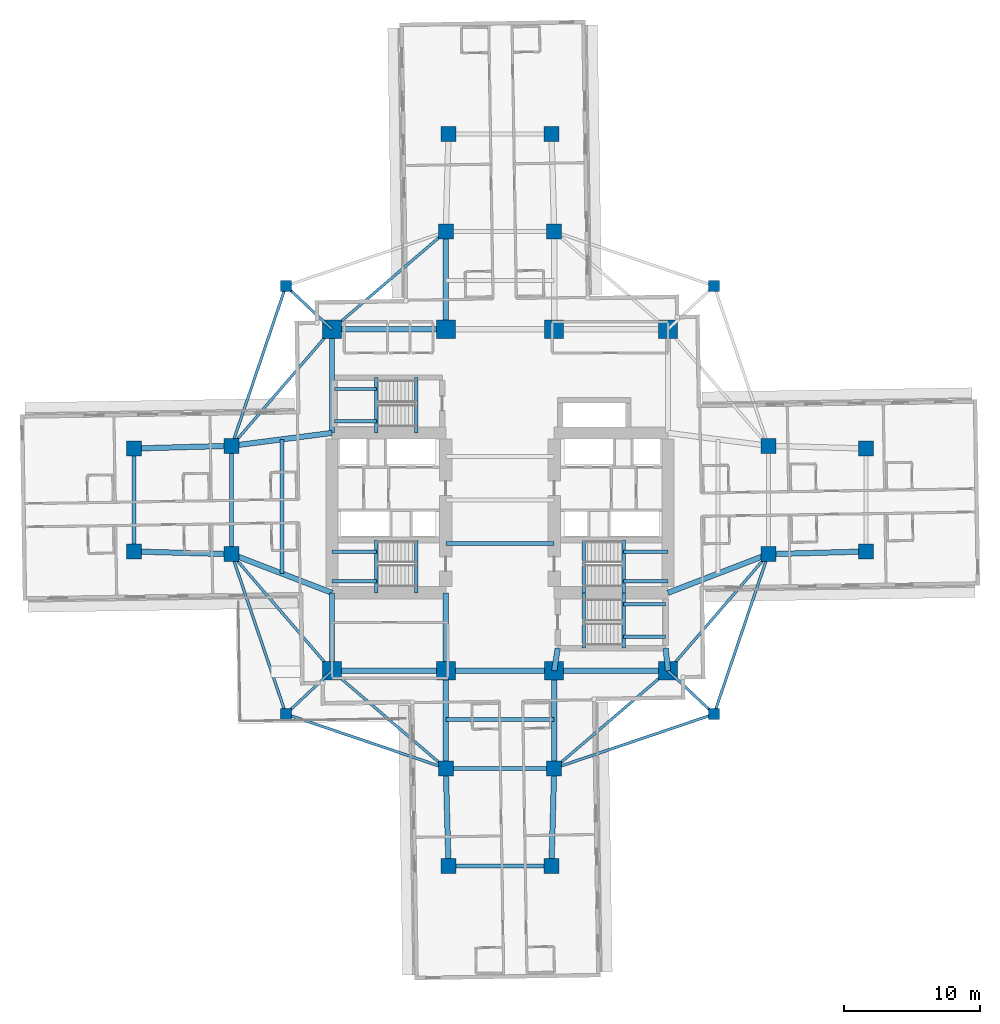
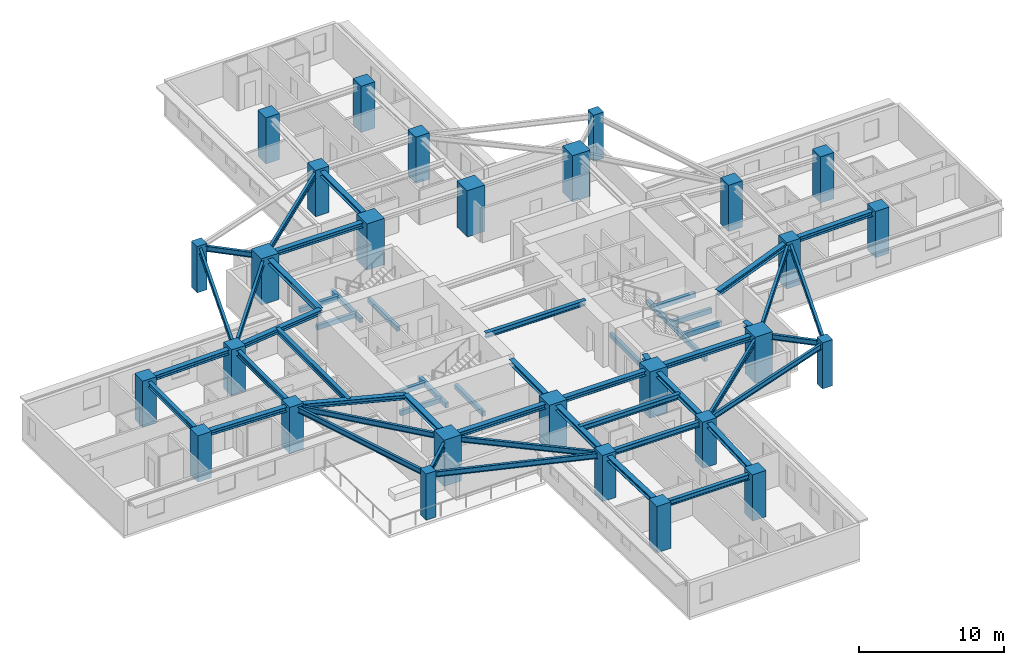
# One storey, part 1 of 14: 57 beams, 28 columns.
"""IFC4 building model written with IfcOpenShell, lengths in metres."""

from ifc_helpers import new_model, si_unit, direction, frame, origin, origin_2d, place, context, subcontext, project, spatial, rectangle, i_section, extrude, material, material_profile, profile_set, type_object, element, save


model = new_model("IFC4")

# Units and contexts
model_context = context("Model", 3, precision=1e-05, world=origin(), true_north=direction((0.0, 1.0)))
body_context = subcontext(model_context, "Body", "Model", "MODEL_VIEW")
ifc_project = project(units=[si_unit("LENGTHUNIT", "METRE"), si_unit("AREAUNIT", "SQUARE_METRE"), si_unit("VOLUMEUNIT", "CUBIC_METRE"), si_unit("PLANEANGLEUNIT", "RADIAN"), si_unit("MASSUNIT", "GRAM", prefix="KILO")], contexts=[model_context])

# Site, building, storey
site_placement = place(None, origin())
site = spatial("IfcSite", under=ifc_project, at=site_placement, CompositionType="ELEMENT")
building_placement = place(site_placement, origin())
building = spatial("IfcBuilding", under=site, at=building_placement, Name="Qingluan Cross Belvedere", CompositionType="ELEMENT")
storey_placement = place(building_placement, frame((0.0, 0.0, 60.0)))
storey = spatial("IfcBuildingStorey", under=building, at=storey_placement, Name="L15", CompositionType="ELEMENT", Elevation=60.0)

# Columns
ifc_material_1 = material(Name="Concrete C60", Category="concrete")
ifc_material_profile_1 = material_profile(ifc_material_1, rectangle(XDim=1.10009765625, YDim=1.10009765625, at=origin_2d()), Name="RC1100x1100")
ifc_profile_set_1 = profile_set([ifc_material_profile_1], Name="Concrete C60")
column_type_1 = type_object("IfcColumnType", Name="Column_RC1100x1100", PredefinedType="COLUMN", material=ifc_profile_set_1)
for number, where, z_axis, x_axis, name in (
    (1, (19.800048828125, -4.0, 0.0), (0.0, 0.0, 1.0), (1.0, 0.0, 0.0), "Arm column L15-EIA"),
    (2, (19.800048828125, 4.0, 0.0), (0.0, 0.0, 1.0), (1.0, 0.0, 0.0), "Arm column L15-EIB"),
    (3, (-19.800048828125, -4.0, 0.0), (0.0, 0.0, 1.0), (1.0, 0.0, 0.0), "Arm column L15-WIA"),
    (4, (-19.800048828125, 4.0, 0.0), (0.0, 0.0, 1.0), (1.0, 0.0, 0.0), "Arm column L15-WIB"),
    (5, (-4.0, -19.800048828125, 0.0), (0.0, 0.0, 1.0), (1.0, 0.0, 0.0), "Arm column L15-SIA"),
    (6, (4.0, -19.800048828125, 0.0), (0.0, 0.0, 1.0), (1.0, 0.0, 0.0), "Arm column L15-SIB"),
    (7, (-4.0, 19.800048828125, 0.0), (0.0, 0.0, 1.0), (1.0, 0.0, 0.0), "Arm column L15-NIA"),
    (8, (4.0, 19.800048828125, 0.0), (0.0, 0.0, 1.0), (1.0, 0.0, 0.0), "Arm column L15-NIB"),
    (9, (27.0, -3.800048828125, 0.0), (0.0, 0.0, 1.0), (1.0, 0.0, 0.0), "Arm column L15-EOA"),
    (10, (27.0, 3.800048828125, 0.0), (0.0, 0.0, 1.0), (1.0, 0.0, 0.0), "Arm column L15-EOB"),
    (11, (-27.0, -3.800048828125, 0.0), (0.0, 0.0, 1.0), (1.0, 0.0, 0.0), "Arm column L15-WOA"),
    (12, (-27.0, 3.800048828125, 0.0), (0.0, 0.0, 1.0), (1.0, 0.0, 0.0), "Arm column L15-WOB"),
    (13, (-3.800048828125, -27.0, 0.0), (0.0, 0.0, 1.0), (1.0, 0.0, 0.0), "Arm column L15-SOA"),
    (14, (3.800048828125, -27.0, 0.0), (0.0, 0.0, 1.0), (1.0, 0.0, 0.0), "Arm column L15-SOB"),
    (15, (-3.800048828125, 27.0, 0.0), (0.0, 0.0, 1.0), (1.0, 0.0, 0.0), "Arm column L15-NOA"),
    (16, (3.800048828125, 27.0, 0.0), (0.0, 0.0, 1.0), (1.0, 0.0, 0.0), "Arm column L15-NOB"),
):
    element("IfcColumn", number, at=place(storey_placement, frame(where, z_axis=z_axis, x_axis=x_axis)), inside=storey, type_object=column_type_1, Name=name, PredefinedType="COLUMN", context=body_context, shape_type="SweptSolid", body=[
        extrude(rectangle(XDim=1.10009765625, YDim=1.10009765625, at=origin_2d()), origin(), (0.0, 0.0, 1.0), 3.89990234375),
    ])
ifc_material_2 = material(Name="Concrete C70", Category="concrete")
ifc_material_profile_2 = material_profile(ifc_material_2, rectangle(XDim=1.39990234375, YDim=1.39990234375, at=origin_2d()), Name="RC1400x1400")
ifc_profile_set_2 = profile_set([ifc_material_profile_2], Name="Concrete C70")
column_type_2 = type_object("IfcColumnType", Name="Column_RC1400x1400", PredefinedType="COLUMN", material=ifc_profile_set_2)
for number, where, z_axis, x_axis, name in (
    (17, (-12.39990234375, -12.60009765625, 0.0), (0.0, 0.0, 1.0), (1.0, 0.0, 0.0), "Hub column L15-HC1"),
    (18, (12.39990234375, -12.60009765625, 0.0), (0.0, 0.0, 1.0), (1.0, 0.0, 0.0), "Hub column L15-HC2"),
    (19, (12.39990234375, 12.60009765625, 0.0), (0.0, 0.0, 1.0), (1.0, 0.0, 0.0), "Hub column L15-HC3"),
    (20, (-12.39990234375, 12.60009765625, 0.0), (0.0, 0.0, 1.0), (1.0, 0.0, 0.0), "Hub column L15-HC4"),
    (21, (-4.0, -12.60009765625, 0.0), (0.0, 0.0, 1.0), (1.0, 0.0, 0.0), "Hub column L15-HC5"),
    (22, (4.0, -12.60009765625, 0.0), (0.0, 0.0, 1.0), (1.0, 0.0, 0.0), "Hub column L15-HC6"),
    (23, (4.0, 12.60009765625, 0.0), (0.0, 0.0, 1.0), (1.0, 0.0, 0.0), "Hub column L15-HC7"),
    (24, (-4.0, 12.60009765625, 0.0), (0.0, 0.0, 1.0), (1.0, 0.0, 0.0), "Hub column L15-HC8"),
):
    element("IfcColumn", number, at=place(storey_placement, frame(where, z_axis=z_axis, x_axis=x_axis)), inside=storey, type_object=column_type_2, Name=name, PredefinedType="COLUMN", context=body_context, shape_type="SweptSolid", body=[
        extrude(rectangle(XDim=1.39990234375, YDim=1.39990234375, at=origin_2d()), origin(), (0.0, 0.0, 1.0), 3.89990234375),
    ])
ifc_material_3 = material(Name="Concrete C50", Category="concrete")
ifc_material_profile_3 = material_profile(ifc_material_3, rectangle(XDim=0.800048828125, YDim=0.800048828125, at=origin_2d()), Name="RC800x800")
ifc_profile_set_3 = profile_set([ifc_material_profile_3], Name="Concrete C50")
column_type_3 = type_object("IfcColumnType", Name="Column_RC800x800", PredefinedType="COLUMN", material=ifc_profile_set_3)
for number, where, z_axis, x_axis, name in (
    (25, (15.800048828125, 15.800048828125, 0.0), (0.0, 0.0, 1.0), (1.0, 0.0, 0.0), "Corner column L15-RNE"),
    (26, (-15.800048828125, 15.800048828125, 0.0), (0.0, 0.0, 1.0), (1.0, 0.0, 0.0), "Corner column L15-RNW"),
    (27, (-15.800048828125, -15.800048828125, 0.0), (0.0, 0.0, 1.0), (1.0, 0.0, 0.0), "Corner column L15-RSW"),
    (28, (15.800048828125, -15.800048828125, 0.0), (0.0, 0.0, 1.0), (1.0, 0.0, 0.0), "Corner column L15-RSE"),
):
    element("IfcColumn", number, at=place(storey_placement, frame(where, z_axis=z_axis, x_axis=x_axis)), inside=storey, type_object=column_type_3, Name=name, PredefinedType="COLUMN", context=body_context, shape_type="SweptSolid", body=[
        extrude(rectangle(XDim=0.800048828125, YDim=0.800048828125, at=origin_2d()), origin(), (0.0, 0.0, 1.0), 3.89990234375),
    ])

# Beams
ifc_material_4 = material(Name="Concrete C45", Category="concrete")
ifc_material_profile_4 = material_profile(ifc_material_4, rectangle(XDim=0.25, YDim=0.39990234375, at=origin_2d()), Name="RC250x400")
ifc_profile_set_4 = profile_set([ifc_material_profile_4], Name="Concrete C45")
beam_type_1 = type_object("IfcBeamType", Name="RC_Lintel_RC250x400", PredefinedType="LINTEL", material=ifc_profile_set_4)
for number, where, z_axis, x_axis, name in (
    (29, (-6.179931640625, -6.85009765625, -0.199951171875), (0.0, 1.0, 0.0), (-1.0, 0.0, 0.0), "Stair ST1 landing beam L15"),
    (30, (6.179931640625, -6.85009765625, -0.199951171875), (0.0, 1.0, 0.0), (-1.0, 0.0, 0.0), "Stair ST2 landing beam L15"),
):
    element("IfcBeam", number, at=place(storey_placement, frame(where, z_axis=z_axis, x_axis=x_axis)), inside=storey, type_object=beam_type_1, Name=name, PredefinedType="LINTEL", context=body_context, shape_type="SweptSolid", body=[
        extrude(rectangle(XDim=0.25, YDim=0.39990234375, at=origin_2d()), origin(), (0.0, 0.0, 1.0), 3.89013671875),
    ])
beam_1_placement = place(storey_placement, frame((-6.179931640625, 4.949951171875, -0.199951171875), z_axis=(0.0, 1.0, 0.0), x_axis=(-1.0, 0.0, 0.0)))
element("IfcBeam", 31, at=beam_1_placement, inside=storey, type_object=beam_type_1, Name="Stair ST3 landing beam L15", PredefinedType="LINTEL", context=body_context, shape_type="SweptSolid", body=[
    extrude(rectangle(XDim=0.25, YDim=0.39990234375, at=origin_2d()), origin(), (0.0, 0.0, 1.0), 4.090087890625),
])
beam_2_placement = place(storey_placement, frame((6.179931640625, -10.93994140625, -0.199951171875), z_axis=(0.0, 1.0, 0.0), x_axis=(-1.0, 0.0, 0.0)))
element("IfcBeam", 32, at=beam_2_placement, inside=storey, type_object=beam_type_1, Name="Stair ST4 landing beam L15", PredefinedType="LINTEL", context=body_context, shape_type="SweptSolid", body=[
    extrude(rectangle(XDim=0.25, YDim=0.39990234375, at=origin_2d()), origin(), (0.0, 0.0, 1.0), 4.08984375),
])
beam_3_placement = place(storey_placement, frame((-9.1298828125, -6.85009765625, 1.550048828125), z_axis=(0.0, 1.0, 0.0), x_axis=(-1.0, 0.0, 0.0)))
element("IfcBeam", 33, at=beam_3_placement, inside=storey, type_object=beam_type_1, Name="Stair ST1 beam A L15", PredefinedType="LINTEL", context=body_context, shape_type="SweptSolid", body=[
    extrude(rectangle(XDim=0.25, YDim=0.39990234375, at=origin_2d()), origin(), (0.0, 0.0, 1.0), 3.89013671875),
])
for number, where, z_axis, x_axis, name in (
    (34, (-12.39990234375, -6.0, 1.550048828125), (1.0, 0.0, 0.0), (0.0, 1.0, 0.0), "Stair ST1 beam B L15"),
    (35, (-12.39990234375, -3.81005859375, 1.550048828125), (1.0, 0.0, 0.0), (0.0, 1.0, 0.0), "Stair ST1 beam C L15"),
):
    element("IfcBeam", number, at=place(storey_placement, frame(where, z_axis=z_axis, x_axis=x_axis)), inside=storey, type_object=beam_type_1, Name=name, PredefinedType="LINTEL", context=body_context, shape_type="SweptSolid", body=[
        extrude(rectangle(XDim=0.25, YDim=0.39990234375, at=origin_2d()), origin(), (0.0, 0.0, 1.0), 3.27001953125),
    ])
beam_4_placement = place(storey_placement, frame((9.1298828125, -6.85009765625, 1.550048828125), z_axis=(0.0, 1.0, 0.0), x_axis=(-1.0, 0.0, 0.0)))
element("IfcBeam", 36, at=beam_4_placement, inside=storey, type_object=beam_type_1, Name="Stair ST2 beam A L15", PredefinedType="LINTEL", context=body_context, shape_type="SweptSolid", body=[
    extrude(rectangle(XDim=0.25, YDim=0.39990234375, at=origin_2d()), origin(), (0.0, 0.0, 1.0), 3.89013671875),
])
for number, where, z_axis, x_axis, name in (
    (37, (12.39990234375, -6.0, 1.550048828125), (-1.0, 0.0, 0.0), (0.0, -1.0, 0.0), "Stair ST2 beam B L15"),
    (38, (12.39990234375, -3.81005859375, 1.550048828125), (-1.0, 0.0, 0.0), (0.0, -1.0, 0.0), "Stair ST2 beam C L15"),
):
    element("IfcBeam", number, at=place(storey_placement, frame(where, z_axis=z_axis, x_axis=x_axis)), inside=storey, type_object=beam_type_1, Name=name, PredefinedType="LINTEL", context=body_context, shape_type="SweptSolid", body=[
        extrude(rectangle(XDim=0.25, YDim=0.39990234375, at=origin_2d()), origin(), (0.0, 0.0, 1.0), 3.27001953125),
    ])
beam_5_placement = place(storey_placement, frame((-9.1298828125, 4.949951171875, 1.550048828125), z_axis=(0.0, 1.0, 0.0), x_axis=(-1.0, 0.0, 0.0)))
element("IfcBeam", 39, at=beam_5_placement, inside=storey, type_object=beam_type_1, Name="Stair ST3 beam A L15", PredefinedType="LINTEL", context=body_context, shape_type="SweptSolid", body=[
    extrude(rectangle(XDim=0.25, YDim=0.39990234375, at=origin_2d()), origin(), (0.0, 0.0, 1.0), 4.090087890625),
])
for number, where, z_axis, x_axis, name in (
    (40, (-12.219970703125, 5.800048828125, 1.550048828125), (1.0, 0.0, 0.0), (0.0, 1.0, 0.0), "Stair ST3 beam B L15"),
    (41, (-12.219970703125, 8.18994140625, 1.550048828125), (1.0, 0.0, 0.0), (0.0, 1.0, 0.0), "Stair ST3 beam C L15"),
):
    element("IfcBeam", number, at=place(storey_placement, frame(where, z_axis=z_axis, x_axis=x_axis)), inside=storey, type_object=beam_type_1, Name=name, PredefinedType="LINTEL", context=body_context, shape_type="SweptSolid", body=[
        extrude(rectangle(XDim=0.25, YDim=0.39990234375, at=origin_2d()), origin(), (0.0, 0.0, 1.0), 3.090087890625),
    ])
beam_6_placement = place(storey_placement, frame((9.1298828125, -10.93994140625, 1.550048828125), z_axis=(0.0, 1.0, 0.0), x_axis=(-1.0, 0.0, 0.0)))
element("IfcBeam", 42, at=beam_6_placement, inside=storey, type_object=beam_type_1, Name="Stair ST4 beam A L15", PredefinedType="LINTEL", context=body_context, shape_type="SweptSolid", body=[
    extrude(rectangle(XDim=0.25, YDim=0.39990234375, at=origin_2d()), origin(), (0.0, 0.0, 1.0), 4.08984375),
])
for number, where, z_axis, x_axis, name in (
    (43, (12.219970703125, -10.090087890625, 1.550048828125), (-1.0, 0.0, 0.0), (0.0, -1.0, 0.0), "Stair ST4 beam B L15"),
    (44, (12.219970703125, -7.699951171875, 1.550048828125), (-1.0, 0.0, 0.0), (0.0, -1.0, 0.0), "Stair ST4 beam C L15"),
):
    element("IfcBeam", number, at=place(storey_placement, frame(where, z_axis=z_axis, x_axis=x_axis)), inside=storey, type_object=beam_type_1, Name=name, PredefinedType="LINTEL", context=body_context, shape_type="SweptSolid", body=[
        extrude(rectangle(XDim=0.25, YDim=0.39990234375, at=origin_2d()), origin(), (0.0, 0.0, 1.0), 3.090087890625),
    ])
ifc_material_5 = material(Name="Steel Q420GJB", Category="steel")
ifc_material_profile_5 = material_profile(ifc_material_5, i_section(OverallWidth=0.300048828125, OverallDepth=0.43994140625, WebThickness=0.010986328125, FlangeThickness=0.01806640625, FilletRadius=0.02001953125, at=origin_2d()), Name="HM440x300x11x18")
ifc_profile_set_5 = profile_set([ifc_material_profile_5], Name="Steel Q420GJB")
beam_type_2 = type_object("IfcBeamType", Name="Steel_Beam_HM440x300x11x18", PredefinedType="BEAM", material=ifc_profile_set_5)
for number, where, z_axis, x_axis, name in (
    (45, (-4.0, -3.199951171875, 3.47998046875), (1.0, 0.0, 0.0), (0.0, 1.0, 0.0), "Hall beam L15-CH1"),
    (46, (-19.800048828125, -4.0, 3.47998046875), (0.0, 1.0, 0.0), (-1.0, 0.0, 0.0), "Arm W tie L15"),
):
    element("IfcBeam", number, at=place(storey_placement, frame(where, z_axis=z_axis, x_axis=x_axis)), inside=storey, type_object=beam_type_2, Name=name, PredefinedType="BEAM", context=body_context, shape_type="SweptSolid", body=[
        extrude(i_section(OverallWidth=0.300048828125, OverallDepth=0.43994140625, WebThickness=0.010986328125, FlangeThickness=0.01806640625, FilletRadius=0.02001953125, at=origin_2d()), origin(), (0.0, 0.0, 1.0), 8.0),
    ])
beam_7_placement = place(storey_placement, frame((-16.10009765625, -5.425048828125, 3.47998046875), z_axis=(0.0, 1.0, 0.0), x_axis=(-1.0, 0.0, 0.0)))
element("IfcBeam", 47, at=beam_7_placement, inside=storey, type_object=beam_type_2, Name="Arm W beam L15", PredefinedType="BEAM", context=body_context, shape_type="SweptSolid", body=[
    extrude(i_section(OverallWidth=0.300048828125, OverallDepth=0.43994140625, WebThickness=0.010986328125, FlangeThickness=0.01806640625, FilletRadius=0.02001953125, at=origin_2d()), origin(), (0.0, 0.0, 1.0), 9.900146484375),
])
beam_8_placement = place(storey_placement, frame((-27.0, -3.800048828125, 3.47998046875), z_axis=(0.0, 1.0, 0.0), x_axis=(-1.0, 0.0, 0.0)))
element("IfcBeam", 48, at=beam_8_placement, inside=storey, type_object=beam_type_2, Name="Arm W tip transverse beam L15", PredefinedType="BEAM", context=body_context, shape_type="SweptSolid", body=[
    extrude(i_section(OverallWidth=0.300048828125, OverallDepth=0.43994140625, WebThickness=0.010986328125, FlangeThickness=0.01806640625, FilletRadius=0.02001953125, at=origin_2d()), origin(), (0.0, 0.0, 1.0), 7.60009765625),
])
for number, where, z_axis, x_axis, name in (
    (49, (-4.0, -19.800048828125, 3.47998046875), (1.0, 0.0, 0.0), (0.0, 1.0, 0.0), "Arm S tie L15"),
    (50, (-4.0, -16.199951171875, 3.47998046875), (1.0, 0.0, 0.0), (0.0, 1.0, 0.0), "Arm S beam L15"),
):
    element("IfcBeam", number, at=place(storey_placement, frame(where, z_axis=z_axis, x_axis=x_axis)), inside=storey, type_object=beam_type_2, Name=name, PredefinedType="BEAM", context=body_context, shape_type="SweptSolid", body=[
        extrude(i_section(OverallWidth=0.300048828125, OverallDepth=0.43994140625, WebThickness=0.010986328125, FlangeThickness=0.01806640625, FilletRadius=0.02001953125, at=origin_2d()), origin(), (0.0, 0.0, 1.0), 8.0),
    ])
beam_9_placement = place(storey_placement, frame((-3.800048828125, -27.0, 3.47998046875), z_axis=(1.0, 0.0, 0.0), x_axis=(0.0, 1.0, 0.0)))
element("IfcBeam", 51, at=beam_9_placement, inside=storey, type_object=beam_type_2, Name="Arm S tip transverse beam L15", PredefinedType="BEAM", context=body_context, shape_type="SweptSolid", body=[
    extrude(i_section(OverallWidth=0.300048828125, OverallDepth=0.43994140625, WebThickness=0.010986328125, FlangeThickness=0.01806640625, FilletRadius=0.02001953125, at=origin_2d()), origin(), (0.0, 0.0, 1.0), 7.60009765625),
])
ifc_material_6 = material(Name="Steel Q420GJB", Category="steel")
ifc_material_profile_6 = material_profile(ifc_material_6, i_section(OverallWidth=0.199951171875, OverallDepth=0.449951171875, WebThickness=0.009033203125, FlangeThickness=0.013916015625, FilletRadius=0.01611328125, at=origin_2d()), Name="HN450x200x9x14")
ifc_profile_set_6 = profile_set([ifc_material_profile_6], Name="Steel Q420GJB")
beam_type_3 = type_object("IfcBeamType", Name="Steel_Beam_HN450x200x9x14", PredefinedType="JOIST", material=ifc_profile_set_6)
beam_10_placement = place(storey_placement, frame((-12.39990234375, 12.60009765625, 3.47509765625), z_axis=(-0.728219948308, 0.685343495546, 0.0), x_axis=(-0.685343495546, -0.728219948308, 0.0)))
element("IfcBeam", 52, at=beam_10_placement, inside=storey, type_object=beam_type_3, Name="Corner beam 1 L15-RNW", PredefinedType="JOIST", context=body_context, shape_type="SweptSolid", body=[
    extrude(i_section(OverallWidth=0.199951171875, OverallDepth=0.449951171875, WebThickness=0.009033203125, FlangeThickness=0.013916015625, FilletRadius=0.01611328125, at=origin_2d()), origin(), (0.0, 0.0, 1.0), 4.669189453125),
])
beam_11_placement = place(storey_placement, frame((-15.800048828125, 15.800048828125, 3.47509765625), z_axis=(-0.321038089628, -0.947066283324, 0.0), x_axis=(0.947066283324, -0.321038089628, 0.0)))
element("IfcBeam", 53, at=beam_11_placement, inside=storey, type_object=beam_type_3, Name="Corner beam 3 L15-RNW", PredefinedType="JOIST", context=body_context, shape_type="SweptSolid", body=[
    extrude(i_section(OverallWidth=0.199951171875, OverallDepth=0.449951171875, WebThickness=0.009033203125, FlangeThickness=0.013916015625, FilletRadius=0.01611328125, at=origin_2d()), origin(), (0.0, 0.0, 1.0), 12.45947265625),
])
beam_12_placement = place(storey_placement, frame((-12.39990234375, 12.60009765625, 3.47509765625), z_axis=(-0.652245077546, -0.75800815221, 0.0), x_axis=(0.75800815221, -0.652245077546, 0.0)))
element("IfcBeam", 54, at=beam_12_placement, inside=storey, type_object=beam_type_3, Name="Corner beam 4 L15-RNW", PredefinedType="JOIST", context=body_context, shape_type="SweptSolid", body=[
    extrude(i_section(OverallWidth=0.199951171875, OverallDepth=0.449951171875, WebThickness=0.009033203125, FlangeThickness=0.013916015625, FilletRadius=0.01611328125, at=origin_2d()), origin(), (0.0, 0.0, 1.0), 11.345703125),
])
beam_13_placement = place(storey_placement, frame((-12.39990234375, 12.60009765625, 3.47509765625), z_axis=(0.759255044656, 0.650793190779, 0.0), x_axis=(-0.650793190779, 0.759255044656, 0.0)))
element("IfcBeam", 55, at=beam_13_placement, inside=storey, type_object=beam_type_3, Name="Corner beam 5 L15-RNW", PredefinedType="JOIST", context=body_context, shape_type="SweptSolid", body=[
    extrude(i_section(OverallWidth=0.199951171875, OverallDepth=0.449951171875, WebThickness=0.009033203125, FlangeThickness=0.013916015625, FilletRadius=0.01611328125, at=origin_2d()), origin(), (0.0, 0.0, 1.0), 11.063232421875),
])
beam_14_placement = place(storey_placement, frame((-12.39990234375, -12.60009765625, 3.47509765625), z_axis=(-0.728219948308, -0.685343495546, 0.0), x_axis=(0.685343495546, -0.728219948308, 0.0)))
element("IfcBeam", 56, at=beam_14_placement, inside=storey, type_object=beam_type_3, Name="Corner beam 1 L15-RSW", PredefinedType="JOIST", context=body_context, shape_type="SweptSolid", body=[
    extrude(i_section(OverallWidth=0.199951171875, OverallDepth=0.449951171875, WebThickness=0.009033203125, FlangeThickness=0.013916015625, FilletRadius=0.01611328125, at=origin_2d()), origin(), (0.0, 0.0, 1.0), 4.669189453125),
])
for number, where, z_axis, x_axis, name in (
    (57, (-15.800048828125, -15.800048828125, 3.47509765625), (0.947066283324, -0.321038089628, 0.0), (0.321038089628, 0.947066283324, 0.0), "Corner beam 2 L15-RSW"),
    (58, (-15.800048828125, -15.800048828125, 3.47509765625), (-0.321038089628, 0.947066283324, 0.0), (-0.947066283324, -0.321038089628, 0.0), "Corner beam 3 L15-RSW"),
):
    element("IfcBeam", number, at=place(storey_placement, frame(where, z_axis=z_axis, x_axis=x_axis)), inside=storey, type_object=beam_type_3, Name=name, PredefinedType="JOIST", context=body_context, shape_type="SweptSolid", body=[
        extrude(i_section(OverallWidth=0.199951171875, OverallDepth=0.449951171875, WebThickness=0.009033203125, FlangeThickness=0.013916015625, FilletRadius=0.01611328125, at=origin_2d()), origin(), (0.0, 0.0, 1.0), 12.45947265625),
    ])
beam_15_placement = place(storey_placement, frame((-12.39990234375, -12.60009765625, 3.47509765625), z_axis=(-0.652245077546, 0.75800815221, 0.0), x_axis=(-0.75800815221, -0.652245077546, 0.0)))
element("IfcBeam", 59, at=beam_15_placement, inside=storey, type_object=beam_type_3, Name="Corner beam 4 L15-RSW", PredefinedType="JOIST", context=body_context, shape_type="SweptSolid", body=[
    extrude(i_section(OverallWidth=0.199951171875, OverallDepth=0.449951171875, WebThickness=0.009033203125, FlangeThickness=0.013916015625, FilletRadius=0.01611328125, at=origin_2d()), origin(), (0.0, 0.0, 1.0), 11.345703125),
])
beam_16_placement = place(storey_placement, frame((-12.39990234375, -12.60009765625, 3.47509765625), z_axis=(0.759255044656, -0.650793190779, 0.0), x_axis=(0.650793190779, 0.759255044656, 0.0)))
element("IfcBeam", 60, at=beam_16_placement, inside=storey, type_object=beam_type_3, Name="Corner beam 5 L15-RSW", PredefinedType="JOIST", context=body_context, shape_type="SweptSolid", body=[
    extrude(i_section(OverallWidth=0.199951171875, OverallDepth=0.449951171875, WebThickness=0.009033203125, FlangeThickness=0.013916015625, FilletRadius=0.01611328125, at=origin_2d()), origin(), (0.0, 0.0, 1.0), 11.063232421875),
])
beam_17_placement = place(storey_placement, frame((12.39990234375, -12.60009765625, 3.455078125), z_axis=(0.728219948308, -0.685343495546, 0.0), x_axis=(0.685343495546, 0.728219948308, 0.0)))
element("IfcBeam", 61, at=beam_17_placement, inside=storey, type_object=beam_type_3, Name="Corner beam 1 L15-RSE", PredefinedType="JOIST", context=body_context, shape_type="SweptSolid", body=[
    extrude(i_section(OverallWidth=0.199951171875, OverallDepth=0.449951171875, WebThickness=0.009033203125, FlangeThickness=0.013916015625, FilletRadius=0.01611328125, at=origin_2d()), origin(), (0.0, 0.0, 1.0), 4.669189453125),
])
for number, where, z_axis, x_axis, name in (
    (62, (15.800048828125, -15.800048828125, 3.455078125), (-0.947066283324, -0.321038089628, 0.0), (0.321038089628, -0.947066283324, 0.0), "Corner beam 2 L15-RSE"),
    (63, (15.800048828125, -15.800048828125, 3.455078125), (0.321038089628, 0.947066283324, 0.0), (-0.947066283324, 0.321038089628, 0.0), "Corner beam 3 L15-RSE"),
):
    element("IfcBeam", number, at=place(storey_placement, frame(where, z_axis=z_axis, x_axis=x_axis)), inside=storey, type_object=beam_type_3, Name=name, PredefinedType="JOIST", context=body_context, shape_type="SweptSolid", body=[
        extrude(i_section(OverallWidth=0.199951171875, OverallDepth=0.449951171875, WebThickness=0.009033203125, FlangeThickness=0.013916015625, FilletRadius=0.01611328125, at=origin_2d()), origin(), (0.0, 0.0, 1.0), 12.45947265625),
    ])
beam_18_placement = place(storey_placement, frame((12.39990234375, -12.60009765625, 3.455078125), z_axis=(0.652245077546, 0.75800815221, 0.0), x_axis=(-0.75800815221, 0.652245077546, 0.0)))
element("IfcBeam", 64, at=beam_18_placement, inside=storey, type_object=beam_type_3, Name="Corner beam 4 L15-RSE", PredefinedType="JOIST", context=body_context, shape_type="SweptSolid", body=[
    extrude(i_section(OverallWidth=0.199951171875, OverallDepth=0.449951171875, WebThickness=0.009033203125, FlangeThickness=0.013916015625, FilletRadius=0.01611328125, at=origin_2d()), origin(), (0.0, 0.0, 1.0), 11.345703125),
])
beam_19_placement = place(storey_placement, frame((12.39990234375, -12.60009765625, 3.455078125), z_axis=(-0.759255044656, -0.650793190779, 0.0), x_axis=(0.650793190779, -0.759255044656, 0.0)))
element("IfcBeam", 65, at=beam_19_placement, inside=storey, type_object=beam_type_3, Name="Corner beam 5 L15-RSE", PredefinedType="JOIST", context=body_context, shape_type="SweptSolid", body=[
    extrude(i_section(OverallWidth=0.199951171875, OverallDepth=0.449951171875, WebThickness=0.009033203125, FlangeThickness=0.013916015625, FilletRadius=0.01611328125, at=origin_2d()), origin(), (0.0, 0.0, 1.0), 11.063232421875),
])
ifc_material_7 = material(Name="Steel Q420GJB", Category="steel")
ifc_material_profile_7 = material_profile(ifc_material_7, i_section(OverallWidth=0.39990234375, OverallDepth=0.39990234375, WebThickness=0.012939453125, FlangeThickness=0.02099609375, FilletRadius=0.02197265625, at=origin_2d()), Name="HW400x400x13x21")
ifc_profile_set_7 = profile_set([ifc_material_profile_7], Name="Steel Q420GJB")
beam_type_4 = type_object("IfcBeamType", Name="Steel_Girder_HW400x400x13x21", PredefinedType="USERDEFINED", material=ifc_profile_set_7)
beam_20_placement = place(storey_placement, frame((-12.39990234375, -12.60009765625, 3.5), z_axis=(1.0, 0.0, 0.0), x_axis=(0.0, 1.0, 0.0)))
element("IfcBeam", 66, at=beam_20_placement, inside=storey, type_object=beam_type_4, Name="Hub girder L15-HG-S1", ObjectType="GIRDER", PredefinedType="USERDEFINED", context=body_context, shape_type="SweptSolid", body=[
    extrude(i_section(OverallWidth=0.39990234375, OverallDepth=0.39990234375, WebThickness=0.012939453125, FlangeThickness=0.02099609375, FilletRadius=0.02197265625, at=origin_2d()), origin(), (0.0, 0.0, 1.0), 8.39990234375),
])
beam_21_placement = place(storey_placement, frame((-4.0, -12.60009765625, 3.5), z_axis=(1.0, 0.0, 0.0), x_axis=(0.0, 1.0, 0.0)))
element("IfcBeam", 67, at=beam_21_placement, inside=storey, type_object=beam_type_4, Name="Hub girder L15-HG-S2", ObjectType="GIRDER", PredefinedType="USERDEFINED", context=body_context, shape_type="SweptSolid", body=[
    extrude(i_section(OverallWidth=0.39990234375, OverallDepth=0.39990234375, WebThickness=0.012939453125, FlangeThickness=0.02099609375, FilletRadius=0.02197265625, at=origin_2d()), origin(), (0.0, 0.0, 1.0), 8.0),
])
for number, where, z_axis, x_axis, name in (
    (68, (4.0, -12.60009765625, 3.5), (1.0, 0.0, 0.0), (0.0, 1.0, 0.0), "Hub girder L15-HG-S3"),
    (69, (-12.39990234375, 12.60009765625, 3.5), (1.0, 0.0, 0.0), (0.0, 1.0, 0.0), "Hub girder L15-HG-N1"),
):
    element("IfcBeam", number, at=place(storey_placement, frame(where, z_axis=z_axis, x_axis=x_axis)), inside=storey, type_object=beam_type_4, Name=name, ObjectType="GIRDER", PredefinedType="USERDEFINED", context=body_context, shape_type="SweptSolid", body=[
        extrude(i_section(OverallWidth=0.39990234375, OverallDepth=0.39990234375, WebThickness=0.012939453125, FlangeThickness=0.02099609375, FilletRadius=0.02197265625, at=origin_2d()), origin(), (0.0, 0.0, 1.0), 8.39990234375),
    ])
beam_22_placement = place(storey_placement, frame((-12.39990234375, -12.60009765625, 3.5), z_axis=(0.0, 1.0, 0.0), x_axis=(-1.0, 0.0, 0.0)))
element("IfcBeam", 70, at=beam_22_placement, inside=storey, type_object=beam_type_4, Name="Hub girder L15-HG-W1", ObjectType="GIRDER", PredefinedType="USERDEFINED", context=body_context, shape_type="SweptSolid", body=[
    extrude(i_section(OverallWidth=0.39990234375, OverallDepth=0.39990234375, WebThickness=0.012939453125, FlangeThickness=0.02099609375, FilletRadius=0.02197265625, at=origin_2d()), origin(), (0.0, 0.0, 1.0), 5.75),
])
beam_23_placement = place(storey_placement, frame((-12.39990234375, 4.949951171875, 3.5), z_axis=(0.0, 1.0, 0.0), x_axis=(-1.0, 0.0, 0.0)))
element("IfcBeam", 71, at=beam_23_placement, inside=storey, type_object=beam_type_4, Name="Hub girder L15-HG-W2", ObjectType="GIRDER", PredefinedType="USERDEFINED", context=body_context, shape_type="SweptSolid", body=[
    extrude(i_section(OverallWidth=0.39990234375, OverallDepth=0.39990234375, WebThickness=0.012939453125, FlangeThickness=0.02099609375, FilletRadius=0.02197265625, at=origin_2d()), origin(), (0.0, 0.0, 1.0), 7.650146484375),
])
beam_24_placement = place(storey_placement, frame((12.39990234375, -12.60009765625, 3.5), z_axis=(-0.107751337451, 0.994177876075, 0.0), x_axis=(-0.994177876075, -0.107751337451, 0.0)))
element("IfcBeam", 72, at=beam_24_placement, inside=storey, type_object=beam_type_4, Name="Hub girder L15-HG-E1", ObjectType="GIRDER", PredefinedType="USERDEFINED", context=body_context, shape_type="SweptSolid", body=[
    extrude(i_section(OverallWidth=0.39990234375, OverallDepth=0.39990234375, WebThickness=0.012939453125, FlangeThickness=0.02099609375, FilletRadius=0.02197265625, at=origin_2d()), origin(), (0.0, 0.0, 1.0), 1.669921875),
])
beam_25_placement = place(storey_placement, frame((-4.0, -12.60009765625, 3.5), z_axis=(0.0, 1.0, 0.0), x_axis=(-1.0, 0.0, 0.0)))
element("IfcBeam", 73, at=beam_25_placement, inside=storey, type_object=beam_type_4, Name="Hub girder L15-HG-CW", ObjectType="GIRDER", PredefinedType="USERDEFINED", context=body_context, shape_type="SweptSolid", body=[
    extrude(i_section(OverallWidth=0.39990234375, OverallDepth=0.39990234375, WebThickness=0.012939453125, FlangeThickness=0.02099609375, FilletRadius=0.02197265625, at=origin_2d()), origin(), (0.0, 0.0, 1.0), 5.75),
])
beam_26_placement = place(storey_placement, frame((4.0, -12.60009765625, 3.5), z_axis=(0.154731433337, 0.987956569662, 0.0), x_axis=(-0.987956569662, 0.154731433337, 0.0)))
element("IfcBeam", 74, at=beam_26_placement, inside=storey, type_object=beam_type_4, Name="Hub girder L15-HG-CE", ObjectType="GIRDER", PredefinedType="USERDEFINED", context=body_context, shape_type="SweptSolid", body=[
    extrude(i_section(OverallWidth=0.39990234375, OverallDepth=0.39990234375, WebThickness=0.012939453125, FlangeThickness=0.02099609375, FilletRadius=0.02197265625, at=origin_2d()), origin(), (0.0, 0.0, 1.0), 1.680419921875),
])
beam_27_placement = place(storey_placement, frame((12.39990234375, -6.85009765625, 3.5), z_axis=(0.933181258889, 0.359406090735, 0.0), x_axis=(-0.359406090735, 0.933181258889, 0.0)))
element("IfcBeam", 75, at=beam_27_placement, inside=storey, type_object=beam_type_4, Name="Arm E radial girder A L15", ObjectType="GIRDER", PredefinedType="USERDEFINED", context=body_context, shape_type="SweptSolid", body=[
    extrude(i_section(OverallWidth=0.39990234375, OverallDepth=0.39990234375, WebThickness=0.012939453125, FlangeThickness=0.02099609375, FilletRadius=0.02197265625, at=origin_2d()), origin(), (0.0, 0.0, 1.0), 7.929931640625),
])
beam_28_placement = place(storey_placement, frame((19.800048828125, -4.0, 3.5), z_axis=(0.999614603568, 0.027760481514, 0.0), x_axis=(-0.027760481514, 0.999614603568, 0.0)))
element("IfcBeam", 76, at=beam_28_placement, inside=storey, type_object=beam_type_4, Name="Arm E outer radial girder A L15", ObjectType="GIRDER", PredefinedType="USERDEFINED", context=body_context, shape_type="SweptSolid", body=[
    extrude(i_section(OverallWidth=0.39990234375, OverallDepth=0.39990234375, WebThickness=0.012939453125, FlangeThickness=0.02099609375, FilletRadius=0.02197265625, at=origin_2d()), origin(), (0.0, 0.0, 1.0), 7.20263671875),
])
beam_29_placement = place(storey_placement, frame((-12.39990234375, -6.85009765625, 3.5), z_axis=(-0.933181258889, 0.359406090735, 0.0), x_axis=(-0.359406090735, -0.933181258889, 0.0)))
element("IfcBeam", 77, at=beam_29_placement, inside=storey, type_object=beam_type_4, Name="Arm W radial girder A L15", ObjectType="GIRDER", PredefinedType="USERDEFINED", context=body_context, shape_type="SweptSolid", body=[
    extrude(i_section(OverallWidth=0.39990234375, OverallDepth=0.39990234375, WebThickness=0.012939453125, FlangeThickness=0.02099609375, FilletRadius=0.02197265625, at=origin_2d()), origin(), (0.0, 0.0, 1.0), 7.929931640625),
])
beam_30_placement = place(storey_placement, frame((-12.39990234375, 4.949951171875, 3.5), z_axis=(-0.991861120628, -0.12732445714, 0.0), x_axis=(0.12732445714, -0.991861120628, 0.0)))
element("IfcBeam", 78, at=beam_30_placement, inside=storey, type_object=beam_type_4, Name="Arm W radial girder B L15", ObjectType="GIRDER", PredefinedType="USERDEFINED", context=body_context, shape_type="SweptSolid", body=[
    extrude(i_section(OverallWidth=0.39990234375, OverallDepth=0.39990234375, WebThickness=0.012939453125, FlangeThickness=0.02099609375, FilletRadius=0.02197265625, at=origin_2d()), origin(), (0.0, 0.0, 1.0), 7.4609375),
])
for number, where, z_axis, x_axis, name in (
    (79, (-19.800048828125, -4.0, 3.5), (-0.999614603568, 0.027760481514, 0.0), (-0.027760481514, -0.999614603568, 0.0), "Arm W outer radial girder A L15"),
    (80, (-19.800048828125, 4.0, 3.5), (-0.999614603568, -0.027760481514, 0.0), (0.027760481514, -0.999614603568, 0.0), "Arm W outer radial girder B L15"),
):
    element("IfcBeam", number, at=place(storey_placement, frame(where, z_axis=z_axis, x_axis=x_axis)), inside=storey, type_object=beam_type_4, Name=name, ObjectType="GIRDER", PredefinedType="USERDEFINED", context=body_context, shape_type="SweptSolid", body=[
        extrude(i_section(OverallWidth=0.39990234375, OverallDepth=0.39990234375, WebThickness=0.012939453125, FlangeThickness=0.02099609375, FilletRadius=0.02197265625, at=origin_2d()), origin(), (0.0, 0.0, 1.0), 7.20263671875),
    ])
for number, where, z_axis, x_axis, name in (
    (81, (-4.0, 12.60009765625, 3.5), (0.0, 1.0, 0.0), (-1.0, 0.0, 0.0), "Arm N radial girder A L15"),
    (82, (-4.0, -12.60009765625, 3.5), (0.0, -1.0, 0.0), (1.0, 0.0, 0.0), "Arm S radial girder A L15"),
    (83, (4.0, -12.60009765625, 3.5), (0.0, -1.0, 0.0), (1.0, 0.0, 0.0), "Arm S radial girder B L15"),
):
    element("IfcBeam", number, at=place(storey_placement, frame(where, z_axis=z_axis, x_axis=x_axis)), inside=storey, type_object=beam_type_4, Name=name, ObjectType="GIRDER", PredefinedType="USERDEFINED", context=body_context, shape_type="SweptSolid", body=[
        extrude(i_section(OverallWidth=0.39990234375, OverallDepth=0.39990234375, WebThickness=0.012939453125, FlangeThickness=0.02099609375, FilletRadius=0.02197265625, at=origin_2d()), origin(), (0.0, 0.0, 1.0), 7.199951171875),
    ])
for number, where, z_axis, x_axis, name in (
    (84, (-4.0, -19.800048828125, 3.5), (0.027760481514, -0.999614603568, 0.0), (0.999614603568, 0.027760481514, 0.0), "Arm S outer radial girder A L15"),
    (85, (4.0, -19.800048828125, 3.5), (-0.027760481514, -0.999614603568, 0.0), (0.999614603568, -0.027760481514, 0.0), "Arm S outer radial girder B L15"),
):
    element("IfcBeam", number, at=place(storey_placement, frame(where, z_axis=z_axis, x_axis=x_axis)), inside=storey, type_object=beam_type_4, Name=name, ObjectType="GIRDER", PredefinedType="USERDEFINED", context=body_context, shape_type="SweptSolid", body=[
        extrude(i_section(OverallWidth=0.39990234375, OverallDepth=0.39990234375, WebThickness=0.012939453125, FlangeThickness=0.02099609375, FilletRadius=0.02197265625, at=origin_2d()), origin(), (0.0, 0.0, 1.0), 7.20263671875),
    ])

save(model, "model.ifc")
